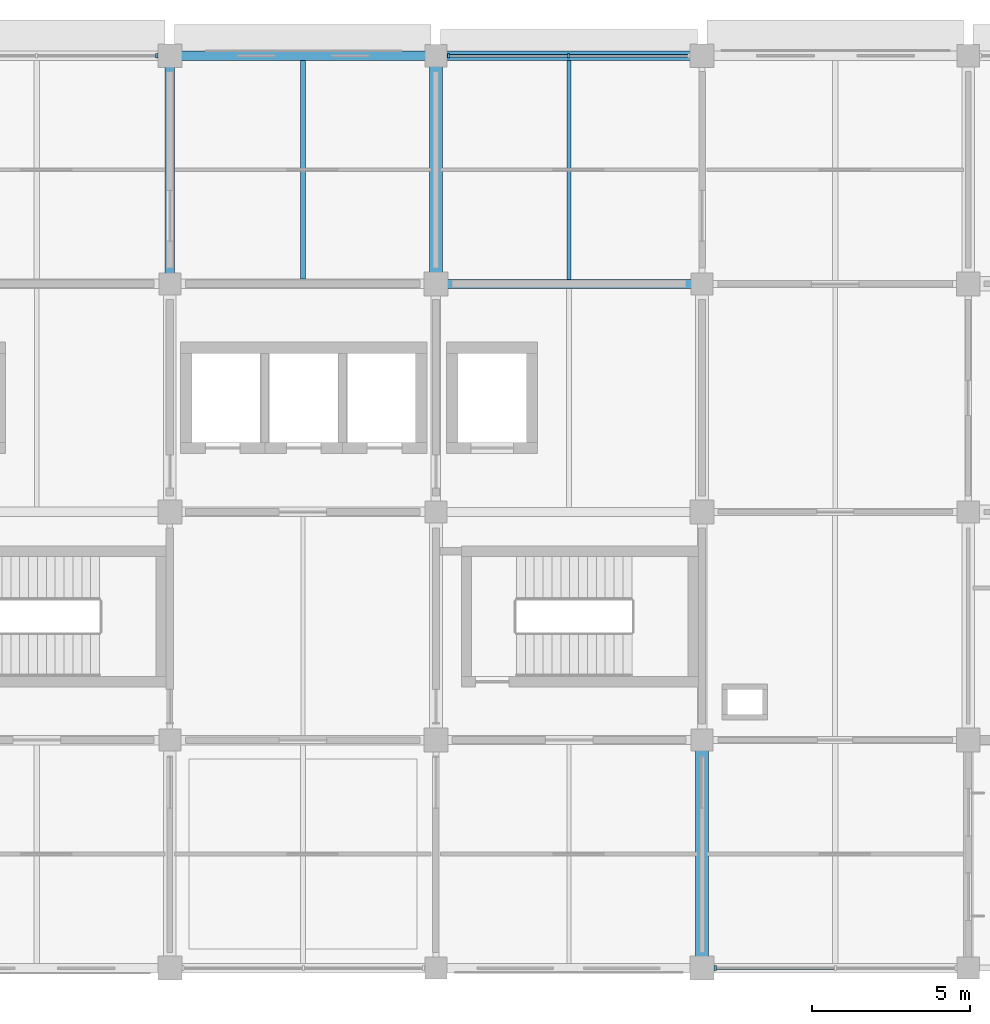
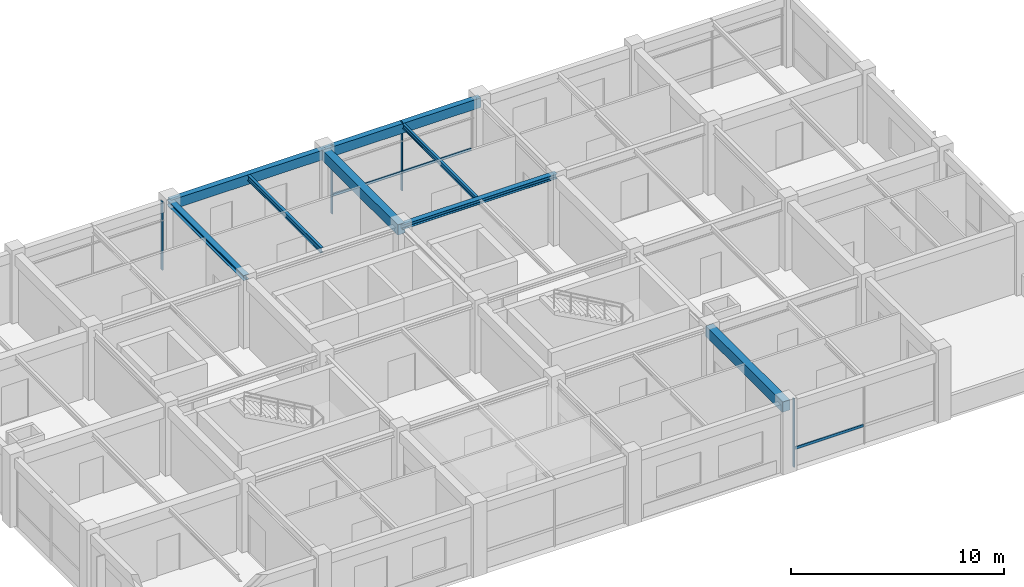
# One storey, part 5 of 14: 8 beams, 7 members, 3 elements without a shape of their own.
"""IFC4 building model written with IfcOpenShell, lengths in metres."""

from ifc_helpers import new_model, si_unit, derived_unit, direction, frame, origin, origin_2d, place, context, subcontext, project, spatial, rectangle, i_section, extrude, material, material_profile, profile_set, type_object, element, aggregate, save


model = new_model("IFC4")

# Units and contexts
model_context = context("Model", 3, precision=1e-05, world=origin(), true_north=direction((0.0, 1.0)))
body_context = subcontext(model_context, "Body", "Model", "MODEL_VIEW")
ifc_project = project(units=[si_unit("LENGTHUNIT", "METRE"), si_unit("AREAUNIT", "SQUARE_METRE"), si_unit("VOLUMEUNIT", "CUBIC_METRE"), si_unit("PLANEANGLEUNIT", "RADIAN"), si_unit("MASSUNIT", "GRAM", prefix="KILO"), derived_unit("THERMALTRANSMITTANCEUNIT", [(si_unit("MASSUNIT", "GRAM", prefix="KILO"), 1), (si_unit("TIMEUNIT", "SECOND"), -3), (si_unit("THERMODYNAMICTEMPERATUREUNIT", "KELVIN"), -1)])], contexts=[model_context])

# Site, building, storey
site_placement = place(None, origin())
site = spatial("IfcSite", under=ifc_project, at=site_placement, CompositionType="ELEMENT")
building_placement = place(site_placement, origin())
building = spatial("IfcBuilding", under=site, at=building_placement, Name="Veldstrom Oceanarium and Marine Research Institute", CompositionType="ELEMENT")
storey_placement = place(building_placement, frame((0.0, 0.0, 35.39990234375)))
storey = spatial("IfcBuildingStorey", under=building, at=storey_placement, Name="L07", CompositionType="ELEMENT", Elevation=35.39990234375)

# Curtain wall, member
ifc_material_1 = material(Name="Anodised Aluminium Framing", Category="aluminium")
curtain_wall_type = type_object("IfcCurtainWallType", Name="ARC-CW-CW04", PredefinedType="USERDEFINED", material=ifc_material_1)
curtain_wall_1_placement = place(storey_placement, origin())
curtain_wall_1 = element("IfcCurtainWall", 1, at=curtain_wall_1_placement, inside=storey, type_object=curtain_wall_type, Name="Curtain Wall CW04 CW-L07-115", ObjectType="Curtain wall", PredefinedType="USERDEFINED")
ifc_material_2 = material(Name="Anodised Aluminium Framing", Category="aluminium")
ifc_material_profile_1 = material_profile(ifc_material_2, rectangle(XDim=0.06494140625, YDim=0.14990234375, at=origin_2d()), Name="ALU-MUL-65x150")
ifc_profile_set_1 = profile_set([ifc_material_profile_1], Name="Anodised Aluminium Framing")
member_type_1 = type_object("IfcMemberType", Name="ARC-MUL-ML2", PredefinedType="MULLION", material=ifc_profile_set_1)
member_1_placement = place(storey_placement, frame((83.5849609375, 72.0, 0.0), z_axis=(0.0, 0.0, 1.0), x_axis=(1.0, 0.0, 0.0)))
member_1 = element("IfcMember", 2, at=member_1_placement, type_object=member_type_1, Name="Curtain Wall Mullion CW-L07-115-MUL-3", PredefinedType="MULLION", context=body_context, shape_type="SweptSolid", body=[
    extrude(rectangle(XDim=0.06494140625, YDim=0.14990234375, at=origin_2d()), origin(), (0.0, 0.0, 1.0), 3.920166015625),
])
aggregate(curtain_wall_1, [member_1])

# Curtain wall, members
curtain_wall_2_placement = place(storey_placement, origin())
curtain_wall_2 = element("IfcCurtainWall", 3, at=curtain_wall_2_placement, inside=storey, type_object=curtain_wall_type, Name="Curtain Wall CW04 CW-L07-117", ObjectType="Curtain wall", PredefinedType="USERDEFINED")
member_2_placement = place(storey_placement, frame((92.7900390625, 72.0, 0.0), z_axis=(0.0, 0.0, 1.0), x_axis=(1.0, 0.0, 0.0)))
member_2 = element("IfcMember", 4, at=member_2_placement, type_object=member_type_1, Name="Curtain Wall Mullion CW-L07-117-MUL-1", PredefinedType="MULLION", context=body_context, shape_type="SweptSolid", body=[
    extrude(rectangle(XDim=0.06494140625, YDim=0.14990234375, at=origin_2d()), origin(), (0.0, 0.0, 1.0), 3.920166015625),
])
member_3_placement = place(storey_placement, frame((96.58740234375, 72.0, 0.0), z_axis=(0.0, 0.0, 1.0), x_axis=(1.0, 0.0, 0.0)))
member_3 = element("IfcMember", 5, at=member_3_placement, type_object=member_type_1, Name="Curtain Wall Mullion CW-L07-117-MUL-2", PredefinedType="MULLION", context=body_context, shape_type="SweptSolid", body=[
    extrude(rectangle(XDim=0.06494140625, YDim=0.14990234375, at=origin_2d()), origin(), (0.0, 0.0, 1.0), 3.920166015625),
])

# Curtain wall, member
curtain_wall_3_placement = place(storey_placement, origin())
curtain_wall_3 = element("IfcCurtainWall", 6, at=curtain_wall_3_placement, inside=storey, type_object=curtain_wall_type, Name="Curtain Wall CW04 CW-L07-118", ObjectType="Curtain wall", PredefinedType="USERDEFINED")
member_4_placement = place(storey_placement, frame((101.215087890625, 43.199951171875, 0.0), z_axis=(0.0, 0.0, 1.0), x_axis=(1.0, 0.0, 0.0)))
member_4 = element("IfcMember", 7, at=member_4_placement, type_object=member_type_1, Name="Curtain Wall Mullion CW-L07-118-MUL-1", PredefinedType="MULLION", context=body_context, shape_type="SweptSolid", body=[
    extrude(rectangle(XDim=0.06494140625, YDim=0.14990234375, at=origin_2d()), origin(), (0.0, 0.0, 1.0), 3.920166015625),
])

# Member
ifc_material_3 = material(Name="Anodised Aluminium Framing", Category="aluminium")
ifc_material_profile_2 = material_profile(ifc_material_3, rectangle(XDim=0.074951171875, YDim=0.14990234375, at=origin_2d()), Name="ALU-TRN-75x150")
ifc_profile_set_2 = profile_set([ifc_material_profile_2], Name="Anodised Aluminium Framing")
member_type_2 = type_object("IfcMemberType", Name="ARC-TRN-TR1", PredefinedType="USERDEFINED", material=ifc_profile_set_2)
member_5_placement = place(storey_placement, frame((92.830078125, 72.0, 1.050048828125), z_axis=(1.0, 0.0, 0.0), x_axis=(0.0, 1.0, 0.0)))
member_5 = element("IfcMember", 8, at=member_5_placement, type_object=member_type_2, Name="Curtain Wall Transom CW-L07-117-TRN-1", ObjectType="Transom", PredefinedType="USERDEFINED", context=body_context, shape_type="SweptSolid", body=[
    extrude(rectangle(XDim=0.074951171875, YDim=0.14990234375, at=origin_2d()), origin(), (0.0, 0.0, 1.0), 3.717529296875),
])

member_6_placement = place(storey_placement, frame((96.62744140625, 72.0, 1.050048828125), z_axis=(1.0, 0.0, 0.0), x_axis=(0.0, 1.0, 0.0)))
member_6 = element("IfcMember", 9, at=member_6_placement, type_object=member_type_2, Name="Curtain Wall Transom CW-L07-117-TRN-2", ObjectType="Transom", PredefinedType="USERDEFINED", context=body_context, shape_type="SweptSolid", body=[
    extrude(rectangle(XDim=0.074951171875, YDim=0.14990234375, at=origin_2d()), origin(), (0.0, 0.0, 1.0), 3.717529296875),
])

aggregate(curtain_wall_2, [member_2, member_3, member_5, member_6])

member_7_placement = place(storey_placement, frame((101.2548828125, 43.199951171875, 1.050048828125), z_axis=(1.0, 0.0, 0.0), x_axis=(0.0, 1.0, 0.0)))
member_7 = element("IfcMember", 10, at=member_7_placement, type_object=member_type_2, Name="Curtain Wall Transom CW-L07-118-TRN-1", ObjectType="Transom", PredefinedType="USERDEFINED", context=body_context, shape_type="SweptSolid", body=[
    extrude(rectangle(XDim=0.074951171875, YDim=0.14990234375, at=origin_2d()), origin(), (0.0, 0.0, 1.0), 3.717529296875),
])

aggregate(curtain_wall_3, [member_4, member_7])

# Beams
ifc_material_4 = material(Name="Concrete C40/50", Category="concrete")
ifc_material_profile_3 = material_profile(ifc_material_4, rectangle(XDim=0.39990234375, YDim=0.60009765625, at=origin_2d()), Name="RC-BM-400x600")
ifc_profile_set_3 = profile_set([ifc_material_profile_3], Name="Concrete C40/50")
beam_type_1 = type_object("IfcBeamType", Name="STR-BM-B06", PredefinedType="BEAM", material=ifc_profile_set_3)
for number, where, z_axis, x_axis, name in (
    (11, (92.39990234375, 64.800048828125, 3.614990234375), (0.0, 1.0, 0.0), (-1.0, 0.0, 0.0), "Primary Beam B06 L07-2376"),
    (12, (100.800048828125, 43.199951171875, 3.614990234375), (0.0, 1.0, 0.0), (-1.0, 0.0, 0.0), "Primary Beam B06 L07-2377"),
):
    element("IfcBeam", number, at=place(storey_placement, frame(where, z_axis=z_axis, x_axis=x_axis)), inside=storey, type_object=beam_type_1, Name=name, PredefinedType="BEAM", context=body_context, shape_type="SweptSolid", body=[
        extrude(rectangle(XDim=0.39990234375, YDim=0.60009765625, at=origin_2d()), origin(), (0.0, 0.0, 1.0), 7.199951171875),
    ])
ifc_material_5 = material(Name="Steel S355JR", Category="steel")
ifc_material_profile_4 = material_profile(ifc_material_5, i_section(OverallWidth=0.300048828125, OverallDepth=0.2900390625, WebThickness=0.008544921875, FlangeThickness=0.013916015625, FilletRadius=0.027099609375, at=origin_2d()), Name="HEA 300")
ifc_profile_set_4 = profile_set([ifc_material_profile_4], Name="Steel S355JR")
beam_type_2 = type_object("IfcBeamType", Name="STR-BM-SB10", PredefinedType="BEAM", material=ifc_profile_set_4)
beam_1_placement = place(storey_placement, frame((84.0, 64.800048828125, 3.77001953125), z_axis=(0.0, 1.0, 0.0), x_axis=(-1.0, 0.0, 0.0)))
element("IfcBeam", 13, at=beam_1_placement, inside=storey, type_object=beam_type_2, Name="Steel Tie Beam SB10 L07-2372", PredefinedType="BEAM", context=body_context, shape_type="SweptSolid", body=[
    extrude(i_section(OverallWidth=0.300048828125, OverallDepth=0.2900390625, WebThickness=0.008544921875, FlangeThickness=0.013916015625, FilletRadius=0.027099609375, at=origin_2d()), origin(), (0.0, 0.0, 1.0), 7.199951171875),
])
ifc_material_6 = material(Name="Steel S355JR", Category="steel")
ifc_material_profile_5 = material_profile(ifc_material_6, i_section(OverallWidth=0.280029296875, OverallDepth=0.27001953125, WebThickness=0.008056640625, FlangeThickness=0.012939453125, FilletRadius=0.02392578125, at=origin_2d()), Name="HEA 280")
ifc_profile_set_5 = profile_set([ifc_material_profile_5], Name="Steel S355JR")
beam_type_3 = type_object("IfcBeamType", Name="STR-BM-SB11", PredefinedType="BEAM", material=ifc_profile_set_5)
beam_2_placement = place(storey_placement, frame((92.39990234375, 64.800048828125, 3.780029296875), z_axis=(1.0, 0.0, 0.0), x_axis=(0.0, 1.0, 0.0)))
element("IfcBeam", 14, at=beam_2_placement, inside=storey, type_object=beam_type_3, Name="Steel Floor Girder SB11 L07-2350", PredefinedType="BEAM", context=body_context, shape_type="SweptSolid", body=[
    extrude(i_section(OverallWidth=0.280029296875, OverallDepth=0.27001953125, WebThickness=0.008056640625, FlangeThickness=0.012939453125, FilletRadius=0.02392578125, at=origin_2d()), origin(), (0.0, 0.0, 1.0), 8.400146484375),
])
ifc_material_7 = material(Name="Steel S355JR", Category="steel")
ifc_material_profile_6 = material_profile(ifc_material_7, i_section(OverallWidth=0.14990234375, OverallDepth=0.300048828125, WebThickness=0.007080078125, FlangeThickness=0.0107421875, FilletRadius=0.014892578125, at=origin_2d()), Name="IPE 300")
ifc_profile_set_6 = profile_set([ifc_material_profile_6], Name="Steel S355JR")
beam_type_4 = type_object("IfcBeamType", Name="STR-JST-SJ2", PredefinedType="JOIST", material=ifc_profile_set_6)
beam_3_placement = place(storey_placement, frame((88.199951171875, 64.949951171875, 3.76513671875), z_axis=(0.0, 1.0, 0.0), x_axis=(-1.0, 0.0, 0.0)))
element("IfcBeam", 15, at=beam_3_placement, inside=storey, type_object=beam_type_4, Name="Secondary Joist SJ2 L07-2397", PredefinedType="JOIST", context=body_context, shape_type="SweptSolid", body=[
    extrude(i_section(OverallWidth=0.14990234375, OverallDepth=0.300048828125, WebThickness=0.007080078125, FlangeThickness=0.0107421875, FilletRadius=0.014892578125, at=origin_2d()), origin(), (0.0, 0.0, 1.0), 6.900146484375),
])
ifc_material_8 = material(Name="Steel S355JR", Category="steel")
ifc_material_profile_7 = material_profile(ifc_material_8, i_section(OverallWidth=0.135009765625, OverallDepth=0.27001953125, WebThickness=0.006591796875, FlangeThickness=0.01025390625, FilletRadius=0.014892578125, at=origin_2d()), Name="IPE 270")
ifc_profile_set_7 = profile_set([ifc_material_profile_7], Name="Steel S355JR")
beam_type_5 = type_object("IfcBeamType", Name="STR-JST-SJ3", PredefinedType="JOIST", material=ifc_profile_set_7)
beam_4_placement = place(storey_placement, frame((96.60009765625, 64.93994140625, 3.780029296875), z_axis=(0.0, 1.0, 0.0), x_axis=(-1.0, 0.0, 0.0)))
element("IfcBeam", 16, at=beam_4_placement, inside=storey, type_object=beam_type_5, Name="Secondary Joist SJ3 L07-2400", PredefinedType="JOIST", context=body_context, shape_type="SweptSolid", body=[
    extrude(i_section(OverallWidth=0.135009765625, OverallDepth=0.27001953125, WebThickness=0.006591796875, FlangeThickness=0.01025390625, FilletRadius=0.014892578125, at=origin_2d()), origin(), (0.0, 0.0, 1.0), 6.91015625),
])
ifc_material_9 = material(Name="Concrete C40/50", Category="concrete")
ifc_material_profile_8 = material_profile(ifc_material_9, rectangle(XDim=0.300048828125, YDim=0.550048828125, at=origin_2d()), Name="RC-SPN-300x550")
ifc_profile_set_8 = profile_set([ifc_material_profile_8], Name="Concrete C40/50")
beam_type_6 = type_object("IfcBeamType", Name="STR-SPN-SP2", PredefinedType="SPANDREL", material=ifc_profile_set_8)
beam_5_placement = place(storey_placement, frame((84.0, 72.0, 3.64013671875), z_axis=(1.0, 0.0, 0.0), x_axis=(0.0, 1.0, 0.0)))
element("IfcBeam", 17, at=beam_5_placement, inside=storey, type_object=beam_type_6, Name="Perimeter Spandrel SPB2 L07-2346", PredefinedType="SPANDREL", context=body_context, shape_type="SweptSolid", body=[
    extrude(rectangle(XDim=0.300048828125, YDim=0.550048828125, at=origin_2d()), origin(), (0.0, 0.0, 1.0), 8.39990234375),
])
beam_6_placement = place(storey_placement, frame((92.39990234375, 72.0, 3.64013671875), z_axis=(1.0, 0.0, 0.0), x_axis=(0.0, 1.0, 0.0)))
element("IfcBeam", 18, at=beam_6_placement, inside=storey, type_object=beam_type_6, Name="Perimeter Spandrel SPB2 L07-2351", PredefinedType="SPANDREL", context=body_context, shape_type="SweptSolid", body=[
    extrude(rectangle(XDim=0.300048828125, YDim=0.550048828125, at=origin_2d()), origin(), (0.0, 0.0, 1.0), 8.400146484375),
])

save(model, "model.ifc")
